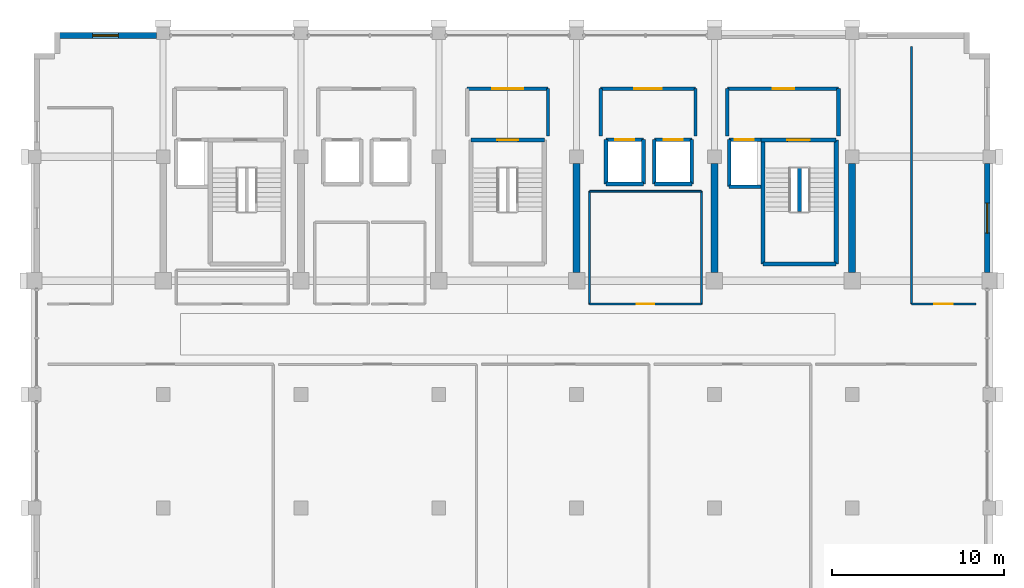
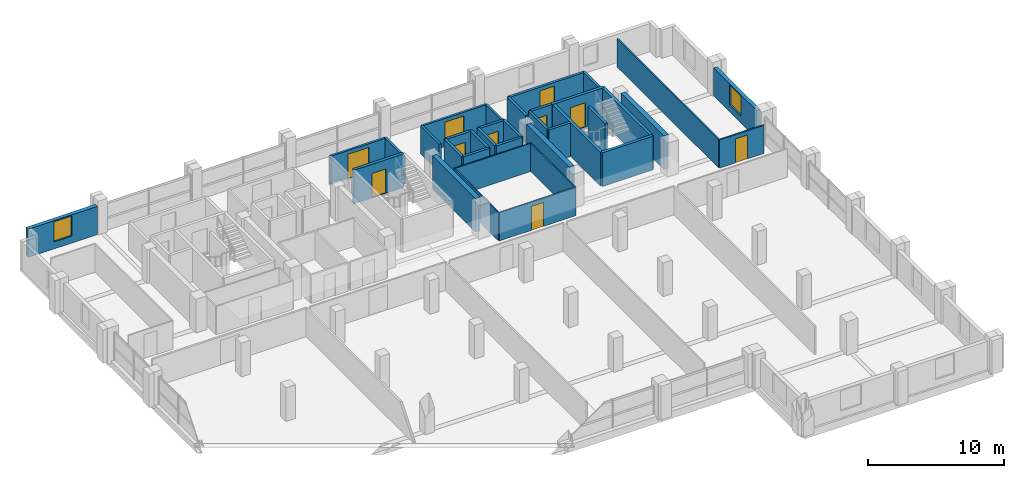
# One storey, part 21 of 23: 36 walls, 10 doors, 2 windows, 12 openings.
"""IFC4 building model written with IfcOpenShell, lengths in metres."""

from ifc_helpers import new_model, si_unit, direction, frame, frame_2d, origin, place, context, subcontext, project, spatial, rectangle, extrude, material, layer, layer_set, type_object, element, fill, save


model = new_model("IFC4")

# Units and contexts
model_context = context("Model", 3, precision=1e-05, world=origin(), true_north=direction((0.0, 1.0)))
body_context = subcontext(model_context, "Body", "Model", "MODEL_VIEW")
ifc_project = project(units=[si_unit("LENGTHUNIT", "METRE"), si_unit("AREAUNIT", "SQUARE_METRE"), si_unit("VOLUMEUNIT", "CUBIC_METRE"), si_unit("PLANEANGLEUNIT", "RADIAN"), si_unit("MASSUNIT", "GRAM", prefix="KILO")], contexts=[model_context])

# Site, building, storey
site_placement = place(None, origin())
site = spatial("IfcSite", under=ifc_project, at=site_placement, CompositionType="ELEMENT")
building_placement = place(site_placement, origin())
building = spatial("IfcBuilding", under=site, at=building_placement, Name="Akrevak Sports Hall", CompositionType="ELEMENT")
storey_placement = place(building_placement, frame((0.0, 0.0, 47.050048828125)))
storey = spatial("IfcBuildingStorey", under=building, at=storey_placement, Name="L11", CompositionType="ELEMENT", Elevation=47.050048828125)

# Wall, opening, window
ifc_material_1 = material(Name="Limestone Ashlar", Category="stone")
ifc_layer_1 = layer(ifc_material_1, 0.070068359375, Name="Limestone Ashlar")
ifc_material_2 = material(Name="Mineral Wool Thermal Insulation", Category="insulation")
ifc_layer_2 = layer(ifc_material_2, 0.090087890625, Name="Mineral Wool Thermal Insulation")
ifc_material_3 = material(Name="Concrete C40/50", Category="concrete")
ifc_layer_3 = layer(ifc_material_3, 0.159912109375, Name="Concrete C40/50")
ifc_layer_set_1 = layer_set([ifc_layer_1, ifc_layer_2, ifc_layer_3], Name="Limestone Ashlar / Mineral Wool Thermal Insulation / Concrete C40/50")
wall_type_1 = type_object("IfcWallType", Name="ARC-WL-EXT-320", PredefinedType="SOLIDWALL", material=ifc_layer_set_1)
wall_1_placement = place(storey_placement, frame((107.840087890625, 55.675048828125, 0.0), z_axis=(0.0, 0.0, 1.0), x_axis=(0.0, 1.0, 0.0)))
wall_1 = element("IfcWall", 1, at=wall_1_placement, inside=storey, type_object=wall_type_1, Name="Tower Stone Facade Wall L11-E15", PredefinedType="SOLIDWALL", context=body_context, shape_type="SweptSolid", body=[
    extrude(rectangle(XDim=6.324951171875, YDim=0.320068359375, at=frame_2d((3.16259765625, 0.0))), origin(), (0.0, 0.0, 1.0), 2.530029296875),
])
opening_1_placement = place(wall_1_placement, frame((2.28759765625, 0.0, 0.6201171875)))
opening_1 = element("IfcOpeningElement", 2, at=opening_1_placement, cuts=wall_1, Name="Opening WN-56", PredefinedType="OPENING", context=body_context, shape_type="SweptSolid", body=[
    extrude(rectangle(XDim=1.75, YDim=1.81005859375, at=frame_2d((0.875, 0.905029296875))), frame((0.0, 0.171875, 0.0), z_axis=(0.0, -1.0, 0.0), x_axis=(1.0, 0.0, 0.0)), (0.0, 0.0, 1.0), 0.343994140625),
])
ifc_material_4 = material(Name="Thermally Broken Bronze Frame & Double Low-E Glass", Category="glass")
window_type_1 = type_object("IfcWindowType", Name="ARC-WIN-SZ-1750x1810", PartitioningType="SINGLE_PANEL", PredefinedType="WINDOW", material=ifc_material_4)
window_1_placement = place(opening_1_placement, origin())
window_1 = element("IfcWindow", 3, at=window_1_placement, inside=storey, type_object=window_type_1, Name="Tower Window L11-E15", OverallHeight=1.81005859375, OverallWidth=1.75, PartitioningType="SINGLE_PANEL", PredefinedType="WINDOW", context=body_context, shape_type="SweptSolid", body=[
    extrude(rectangle(XDim=1.75, YDim=1.81005859375, at=frame_2d((0.875, 0.905029296875))), frame((0.0, 0.030029296875, 0.0), z_axis=(0.0, -1.0, 0.0), x_axis=(1.0, 0.0, 0.0)), (0.0, 0.0, 1.0), 0.06005859375),
])
fill(opening_1, window_1)

wall_2_placement = place(storey_placement, frame((59.60009765625, 69.43994140625, 0.0), z_axis=(0.0, 0.0, 1.0), x_axis=(-1.0, 0.0, 0.0)))
wall_2 = element("IfcWall", 4, at=wall_2_placement, inside=storey, type_object=wall_type_1, Name="Tower Stone Facade Wall L11-N25", PredefinedType="SOLIDWALL", context=body_context, shape_type="SweptSolid", body=[
    extrude(rectangle(XDim=5.900146484375, YDim=0.320068359375, at=frame_2d((2.9501953125, 0.0))), origin(), (0.0, 0.0, 1.0), 2.530029296875),
])
opening_2_placement = place(wall_2_placement, frame((2.199951171875, 0.0, 0.6201171875)))
opening_2 = element("IfcOpeningElement", 5, at=opening_2_placement, cuts=wall_2, Name="Opening WN-48", PredefinedType="OPENING", context=body_context, shape_type="SweptSolid", body=[
    extrude(rectangle(XDim=1.5, YDim=1.81005859375, at=frame_2d((0.75, 0.905029296875))), frame((0.0, 0.171875, 0.0), z_axis=(0.0, -1.0, 0.0), x_axis=(1.0, 0.0, 0.0)), (0.0, 0.0, 1.0), 0.343994140625),
])
window_type_2 = type_object("IfcWindowType", Name="ARC-WIN-SZ-1500x1810", PartitioningType="SINGLE_PANEL", PredefinedType="WINDOW", material=ifc_material_4)
window_2_placement = place(opening_2_placement, origin())
window_2 = element("IfcWindow", 6, at=window_2_placement, inside=storey, type_object=window_type_2, Name="Tower Window L11-N25", OverallHeight=1.81005859375, OverallWidth=1.5, PartitioningType="SINGLE_PANEL", PredefinedType="WINDOW", context=body_context, shape_type="SweptSolid", body=[
    extrude(rectangle(XDim=1.5, YDim=1.81005859375, at=frame_2d((0.75, 0.905029296875))), frame((0.0, 0.030029296875, 0.0), z_axis=(0.0, -1.0, 0.0), x_axis=(1.0, 0.0, 0.0)), (0.0, 0.0, 1.0), 0.06005859375),
])
fill(opening_2, window_2)

# Wall, opening, door
ifc_material_5 = material(Name="Sanitary Cubicle Partition", Category="gypsum")
ifc_layer_4 = layer(ifc_material_5, 0.10009765625, Name="Sanitary Cubicle Partition")
ifc_layer_set_2 = layer_set([ifc_layer_4], Name="Sanitary Cubicle Partition")
wall_type_2 = type_object("IfcWallType", Name="ARC-WL-PRT-100", PredefinedType="PARTITIONING", material=ifc_layer_set_2)
wall_3_placement = place(storey_placement, frame((84.75, 53.85009765625, 0.0), z_axis=(0.0, 0.0, 1.0), x_axis=(1.0, 0.0, 0.0)))
wall_3 = element("IfcWall", 7, at=wall_3_placement, inside=storey, type_object=wall_type_2, Name="Interior Partition Sports Officiating Office L11-C1 (S)", PredefinedType="PARTITIONING", context=body_context, shape_type="SweptSolid", body=[
    extrude(rectangle(XDim=6.5, YDim=0.10009765625, at=frame_2d((3.25, 0.0))), origin(), (0.0, 0.0, 1.0), 2.530029296875),
])
opening_3_placement = place(wall_3_placement, frame((2.75, 0.0, 0.0)))
opening_3 = element("IfcOpeningElement", 8, at=opening_3_placement, cuts=wall_3, Name="Opening ID-06", PredefinedType="OPENING", context=body_context, shape_type="SweptSolid", body=[
    extrude(rectangle(XDim=1.0, YDim=2.14990234375, at=frame_2d((0.5, 1.074951171875))), frame((0.0, 0.06201171875, 0.0), z_axis=(0.0, -1.0, 0.0), x_axis=(1.0, 0.0, 0.0)), (0.0, 0.0, 1.0), 0.1240234375),
])
ifc_material_6 = material(Name="Hardwood Oak Acoustic Leaf", Category="wood")
door_type_1 = type_object("IfcDoorType", Name="ARC-DR-OFF-100x215", OperationType="NOTDEFINED", PredefinedType="DOOR", material=ifc_material_6)
door_1_placement = place(opening_3_placement, origin())
door_1 = element("IfcDoor", 9, at=door_1_placement, inside=storey, type_object=door_type_1, Name="Door to Sports Officiating Office L11-C1", OperationType="SINGLE_SWING_LEFT", OverallHeight=2.14990234375, OverallWidth=1.0, PredefinedType="DOOR", context=body_context, shape_type="SweptSolid", body=[
    extrude(rectangle(XDim=1.0, YDim=2.14990234375, at=frame_2d((0.5, 1.074951171875))), frame((0.0, 0.02490234375, 0.0), z_axis=(0.0, -1.0, 0.0), x_axis=(1.0, 0.0, 0.0)), (0.0, 0.0, 1.0), 0.050048828125),
])
fill(opening_3, door_1)

# Walls
wall_4_placement = place(storey_placement, frame((84.75, 60.39990234375, 0.0), z_axis=(0.0, 0.0, 1.0), x_axis=(1.0, 0.0, 0.0)))
element("IfcWall", 10, at=wall_4_placement, inside=storey, type_object=wall_type_2, Name="Interior Partition Sports Officiating Office L11-C1 (N)", PredefinedType="PARTITIONING", context=body_context, shape_type="SweptSolid", body=[
    extrude(rectangle(XDim=6.5, YDim=0.10009765625, at=frame_2d((3.25, 0.0))), origin(), (0.0, 0.0, 1.0), 2.530029296875),
])
for number, where, z_axis, x_axis, name in (
    (11, (84.75, 53.85009765625, 0.0), (0.0, 0.0, 1.0), (0.0, 1.0, 0.0), "Interior Partition Sports Officiating Office L11-C1 (W)"),
    (12, (91.25, 53.85009765625, 0.0), (0.0, 0.0, 1.0), (0.0, 1.0, 0.0), "Interior Partition Sports Officiating Office L11-C1 (E)"),
):
    element("IfcWall", number, at=place(storey_placement, frame(where, z_axis=z_axis, x_axis=x_axis)), inside=storey, type_object=wall_type_2, Name=name, PredefinedType="PARTITIONING", context=body_context, shape_type="SweptSolid", body=[
        extrude(rectangle(XDim=6.5498046875, YDim=0.10009765625, at=frame_2d((3.27490234375, 0.0))), origin(), (0.0, 0.0, 1.0), 2.530029296875),
    ])

# Wall, opening, door
ifc_material_7 = material(Name="Standard Metal Stud Partition", Category="gypsum")
ifc_layer_5 = layer(ifc_material_7, 0.1201171875, Name="Standard Metal Stud Partition")
ifc_layer_set_3 = layer_set([ifc_layer_5], Name="Standard Metal Stud Partition")
wall_type_3 = type_object("IfcWallType", Name="ARC-WL-PRT-120", PredefinedType="PARTITIONING", material=ifc_layer_set_3)
wall_5_placement = place(storey_placement, frame((103.449951171875, 53.85009765625, 0.0), z_axis=(0.0, 0.0, 1.0), x_axis=(1.0, 0.0, 0.0)))
wall_5 = element("IfcWall", 13, at=wall_5_placement, inside=storey, type_object=wall_type_3, Name="Interior Partition Federation Research Office L11-E1 (S)", PredefinedType="PARTITIONING", context=body_context, shape_type="SweptSolid", body=[
    extrude(rectangle(XDim=3.75, YDim=0.1201171875, at=frame_2d((1.875, 0.0))), origin(), (0.0, 0.0, 1.0), 2.530029296875),
])
opening_4_placement = place(wall_5_placement, frame((1.324951171875, 0.0, 0.0)))
opening_4 = element("IfcOpeningElement", 14, at=opening_4_placement, cuts=wall_5, Name="Opening ID-05", PredefinedType="OPENING", context=body_context, shape_type="SweptSolid", body=[
    extrude(rectangle(XDim=1.050048828125, YDim=2.14990234375, at=frame_2d((0.52490234375, 1.074951171875))), frame((0.0, 0.072021484375, 0.0), z_axis=(0.0, -1.0, 0.0), x_axis=(1.0, 0.0, 0.0)), (0.0, 0.0, 1.0), 0.14404296875),
])
door_type_2 = type_object("IfcDoorType", Name="ARC-DR-OFF-105x215", OperationType="NOTDEFINED", PredefinedType="DOOR", material=ifc_material_6)
door_2_placement = place(opening_4_placement, frame((1.050048828125, 0.0, 0.0), z_axis=(0.0, 0.0, 1.0), x_axis=(-1.0, 0.0, 0.0)))
door_2 = element("IfcDoor", 15, at=door_2_placement, inside=storey, type_object=door_type_2, Name="Door to Federation Research Office L11-E1", OperationType="SINGLE_SWING_RIGHT", OverallHeight=2.14990234375, OverallWidth=1.050048828125, PredefinedType="DOOR", context=body_context, shape_type="SweptSolid", body=[
    extrude(rectangle(XDim=1.050048828125, YDim=2.14990234375, at=frame_2d((0.52490234375, 1.074951171875))), frame((0.0, 0.02490234375, 0.0), z_axis=(0.0, -1.0, 0.0), x_axis=(1.0, 0.0, 0.0)), (0.0, 0.0, 1.0), 0.050048828125),
])
fill(opening_4, door_2)

# Wall
wall_6_placement = place(storey_placement, frame((103.449951171875, 53.85009765625, 0.0), z_axis=(0.0, 0.0, 1.0), x_axis=(0.0, 1.0, 0.0)))
element("IfcWall", 16, at=wall_6_placement, inside=storey, type_object=wall_type_3, Name="Interior Partition Federation Research Office L11-E1 (W)", PredefinedType="PARTITIONING", context=body_context, shape_type="SweptSolid", body=[
    extrude(rectangle(XDim=14.949951171875, YDim=0.1201171875, at=frame_2d((7.47509765625, 0.0))), origin(), (0.0, 0.0, 1.0), 2.530029296875),
])

# Wall, opening, door
ifc_material_8 = material(Name="Autoclaved Aerated Masonry Block", Category="masonry")
ifc_layer_6 = layer(ifc_material_8, 0.179931640625, Name="Autoclaved Aerated Masonry Block")
ifc_layer_set_4 = layer_set([ifc_layer_6], Name="Autoclaved Aerated Masonry Block")
wall_type_4 = type_object("IfcWallType", Name="ARC-WL-PRT-180", PredefinedType="PARTITIONING", material=ifc_layer_set_4)
wall_7_placement = place(storey_placement, frame((85.39990234375, 66.35009765625, 0.0), z_axis=(0.0, 0.0, 1.0), x_axis=(1.0, 0.0, 0.0)))
wall_7 = element("IfcWall", 17, at=wall_7_placement, inside=storey, type_object=wall_type_4, Name="Interior Partition East Passenger Lift Lobby L11 (N)", PredefinedType="PARTITIONING", context=body_context, shape_type="SweptSolid", body=[
    extrude(rectangle(XDim=5.5, YDim=0.179931640625, at=frame_2d((2.75, 0.0))), origin(), (0.0, 0.0, 1.0), 2.530029296875),
])
opening_5_placement = place(wall_7_placement, frame((1.949951171875, 0.0, 0.0)))
opening_5 = element("IfcOpeningElement", 18, at=opening_5_placement, cuts=wall_7, Name="Opening ID-03", PredefinedType="OPENING", context=body_context, shape_type="SweptSolid", body=[
    extrude(rectangle(XDim=1.60009765625, YDim=2.199951171875, at=frame_2d((0.800048828125, 1.10009765625))), frame((0.0, 0.10205078125, 0.0), z_axis=(0.0, -1.0, 0.0), x_axis=(1.0, 0.0, 0.0)), (0.0, 0.0, 1.0), 0.203857421875),
])
ifc_material_9 = material(Name="Hardwood Oak & Safety Glass", Category="wood")
door_type_3 = type_object("IfcDoorType", Name="ARC-DR-HALL-160x220", OperationType="DOUBLE_DOOR_SINGLE_SWING", PredefinedType="DOOR", material=ifc_material_9)
door_3_placement = place(opening_5_placement, origin())
door_3 = element("IfcDoor", 19, at=door_3_placement, inside=storey, type_object=door_type_3, Name="Door to East Passenger Lift Lobby L11", OperationType="DOUBLE_DOOR_SINGLE_SWING", OverallHeight=2.199951171875, OverallWidth=1.60009765625, PredefinedType="DOOR", context=body_context, shape_type="SweptSolid", body=[
    extrude(rectangle(XDim=1.60009765625, YDim=2.199951171875, at=frame_2d((0.800048828125, 1.10009765625))), frame((0.0, 0.02490234375, 0.0), z_axis=(0.0, -1.0, 0.0), x_axis=(1.0, 0.0, 0.0)), (0.0, 0.0, 1.0), 0.050048828125),
])
fill(opening_5, door_3)

# Walls
for number, where, z_axis, x_axis, name in (
    (20, (85.39990234375, 63.60009765625, 0.0), (0.0, 0.0, 1.0), (0.0, 1.0, 0.0), "Interior Partition East Passenger Lift Lobby L11 (W)"),
    (21, (90.89990234375, 63.60009765625, 0.0), (0.0, 0.0, 1.0), (0.0, 1.0, 0.0), "Interior Partition East Passenger Lift Lobby L11 (E)"),
):
    element("IfcWall", number, at=place(storey_placement, frame(where, z_axis=z_axis, x_axis=x_axis)), inside=storey, type_object=wall_type_4, Name=name, PredefinedType="PARTITIONING", context=body_context, shape_type="SweptSolid", body=[
        extrude(rectangle(XDim=2.75, YDim=0.179931640625, at=frame_2d((1.375, 0.0))), origin(), (0.0, 0.0, 1.0), 2.530029296875),
    ])

# Wall, opening, door
wall_8_placement = place(storey_placement, frame((77.64990234375, 66.35009765625, 0.0), z_axis=(0.0, 0.0, 1.0), x_axis=(1.0, 0.0, 0.0)))
wall_8 = element("IfcWall", 22, at=wall_8_placement, inside=storey, type_object=wall_type_4, Name="Interior Partition Central Stair ST3 Vestibule L11 (N)", PredefinedType="PARTITIONING", context=body_context, shape_type="SweptSolid", body=[
    extrude(rectangle(XDim=4.7001953125, YDim=0.179931640625, at=frame_2d((2.35009765625, 0.0))), origin(), (0.0, 0.0, 1.0), 2.530029296875),
])
opening_6_placement = place(wall_8_placement, frame((1.449951171875, 0.0, 0.0)))
opening_6 = element("IfcOpeningElement", 23, at=opening_6_placement, cuts=wall_8, Name="Opening FD-02", PredefinedType="OPENING", context=body_context, shape_type="SweptSolid", body=[
    extrude(rectangle(XDim=1.800048828125, YDim=2.199951171875, at=frame_2d((0.89990234375, 1.10009765625))), frame((0.0, 0.10205078125, 0.0), z_axis=(0.0, -1.0, 0.0), x_axis=(1.0, 0.0, 0.0)), (0.0, 0.0, 1.0), 0.203857421875),
])
ifc_material_10 = material(Name="Fire-Rated Galvanized Door Steel", Category="steel")
door_type_4 = type_object("IfcDoorType", Name="ARC-DR-FIRE-180x220", OperationType="DOUBLE_DOOR_SINGLE_SWING", PredefinedType="DOOR", material=ifc_material_10)
door_4_placement = place(opening_6_placement, frame((1.800048828125, 0.0, 0.0), z_axis=(0.0, 0.0, 1.0), x_axis=(-1.0, 0.0, 0.0)))
door_4 = element("IfcDoor", 24, at=door_4_placement, inside=storey, type_object=door_type_4, Name="Door to Central Stair ST3 Vestibule L11", OperationType="DOUBLE_DOOR_SINGLE_SWING", OverallHeight=2.199951171875, OverallWidth=1.800048828125, PredefinedType="DOOR", context=body_context, shape_type="SweptSolid", body=[
    extrude(rectangle(XDim=1.800048828125, YDim=2.199951171875, at=frame_2d((0.89990234375, 1.10009765625))), frame((0.0, 0.02490234375, 0.0), z_axis=(0.0, -1.0, 0.0), x_axis=(1.0, 0.0, 0.0)), (0.0, 0.0, 1.0), 0.050048828125),
])
fill(opening_6, door_4)

# Walls
wall_9_placement = place(storey_placement, frame((82.35009765625, 63.60009765625, 0.0), z_axis=(0.0, 0.0, 1.0), x_axis=(0.0, 1.0, 0.0)))
element("IfcWall", 25, at=wall_9_placement, inside=storey, type_object=wall_type_4, Name="Interior Partition Central Stair ST3 Vestibule L11 (E)", PredefinedType="PARTITIONING", context=body_context, shape_type="SweptSolid", body=[
    extrude(rectangle(XDim=2.75, YDim=0.179931640625, at=frame_2d((1.375, 0.0))), origin(), (0.0, 0.0, 1.0), 2.530029296875),
])
ifc_layer_7 = layer(ifc_material_3, 0.219970703125, Name="Concrete C40/50")
ifc_layer_set_5 = layer_set([ifc_layer_7], Name="Concrete C40/50")
wall_type_5 = type_object("IfcWallType", Name="ARC-WL-PRT-220", PredefinedType="PARTITIONING", material=ifc_layer_set_5)
wall_10_placement = place(storey_placement, frame((96.949951171875, 59.215087890625, 0.0), z_axis=(0.0, 0.0, 1.0), x_axis=(0.0, 1.0, 0.0)))
element("IfcWall", 26, at=wall_10_placement, inside=storey, type_object=wall_type_5, Name="Stair ST2 Central Spine Wall (L11)", PredefinedType="PARTITIONING", context=body_context, shape_type="SweptSolid", body=[
    extrude(rectangle(XDim=2.52001953125, YDim=0.219970703125, at=frame_2d((1.260009765625, 0.0))), origin(), (0.0, 0.0, 1.0), 3.02001953125),
])

# Wall, opening, door
wall_11_placement = place(storey_placement, frame((92.75, 66.35009765625, 0.0), z_axis=(0.0, 0.0, 1.0), x_axis=(1.0, 0.0, 0.0)))
wall_11 = element("IfcWall", 27, at=wall_11_placement, inside=storey, type_object=wall_type_5, Name="Interior Partition Firefighting Lobby East L11 (N)", PredefinedType="PARTITIONING", context=body_context, shape_type="SweptSolid", body=[
    extrude(rectangle(XDim=6.449951171875, YDim=0.219970703125, at=frame_2d((3.22509765625, 0.0))), origin(), (0.0, 0.0, 1.0), 2.530029296875),
])
opening_7_placement = place(wall_11_placement, frame((2.625, 0.0, 0.0)))
opening_7 = element("IfcOpeningElement", 28, at=opening_7_placement, cuts=wall_11, Name="Opening FD-01", PredefinedType="OPENING", context=body_context, shape_type="SweptSolid", body=[
    extrude(rectangle(XDim=1.25, YDim=2.199951171875, at=frame_2d((0.625, 1.10009765625))), frame((0.0, 0.1220703125, 0.0), z_axis=(0.0, -1.0, 0.0), x_axis=(1.0, 0.0, 0.0)), (0.0, 0.0, 1.0), 0.243896484375),
])
door_type_5 = type_object("IfcDoorType", Name="ARC-DR-FFL-125x220", OperationType="NOTDEFINED", PredefinedType="DOOR", material=ifc_material_10)
door_5_placement = place(opening_7_placement, frame((1.25, 0.0, 0.0), z_axis=(0.0, 0.0, 1.0), x_axis=(-1.0, 0.0, 0.0)))
door_5 = element("IfcDoor", 29, at=door_5_placement, inside=storey, type_object=door_type_5, Name="Door to Firefighting Lobby East L11", OperationType="SINGLE_SWING_LEFT", OverallHeight=2.199951171875, OverallWidth=1.25, PredefinedType="DOOR", context=body_context, shape_type="SweptSolid", body=[
    extrude(rectangle(XDim=1.25, YDim=2.199951171875, at=frame_2d((0.625, 1.10009765625))), frame((0.0, 0.02490234375, 0.0), z_axis=(0.0, -1.0, 0.0), x_axis=(1.0, 0.0, 0.0)), (0.0, 0.0, 1.0), 0.050048828125),
])
fill(opening_7, door_5)

# Walls
for number, where, z_axis, x_axis, name in (
    (30, (92.75, 63.60009765625, 0.0), (0.0, 0.0, 1.0), (0.0, 1.0, 0.0), "Interior Partition Firefighting Lobby East L11 (W)"),
    (31, (99.199951171875, 63.60009765625, 0.0), (0.0, 0.0, 1.0), (0.0, 1.0, 0.0), "Interior Partition Firefighting Lobby East L11 (E)"),
):
    element("IfcWall", number, at=place(storey_placement, frame(where, z_axis=z_axis, x_axis=x_axis)), inside=storey, type_object=wall_type_5, Name=name, PredefinedType="PARTITIONING", context=body_context, shape_type="SweptSolid", body=[
        extrude(rectangle(XDim=2.75, YDim=0.219970703125, at=frame_2d((1.375, 0.0))), origin(), (0.0, 0.0, 1.0), 2.530029296875),
    ])
ifc_material_11 = material(Name="Concrete C50/60", Category="concrete")
ifc_layer_8 = layer(ifc_material_11, 0.219970703125, Name="Concrete C50/60")
ifc_layer_set_6 = layer_set([ifc_layer_8], Name="Concrete C50/60")
wall_type_6 = type_object("IfcWallType", Name="ARC-WL-SHAFT-220", PredefinedType="SHEAR", material=ifc_layer_set_6)
wall_12_placement = place(storey_placement, frame((92.860107421875, 60.659912109375, 0.0), z_axis=(0.0, 0.0, 1.0), x_axis=(1.0, 0.0, 0.0)))
element("IfcWall", 32, at=wall_12_placement, inside=storey, type_object=wall_type_6, Name="Lift Shaft LF-FF2 Wall S (L11)", PredefinedType="SHEAR", context=body_context, shape_type="SweptSolid", body=[
    extrude(rectangle(XDim=1.83984375, YDim=0.219970703125, at=frame_2d((0.919921875, 0.0))), origin(), (0.0, 0.0, 1.0), 3.02001953125),
])

# Wall, opening, door
wall_13_placement = place(storey_placement, frame((94.699951171875, 63.389892578125, 0.0), z_axis=(0.0, 0.0, 1.0), x_axis=(-1.0, 0.0, 0.0)))
wall_13 = element("IfcWall", 33, at=wall_13_placement, inside=storey, type_object=wall_type_6, Name="Lift Shaft LF-FF2 Wall N (L11)", PredefinedType="SHEAR", context=body_context, shape_type="SweptSolid", body=[
    extrude(rectangle(XDim=1.83984375, YDim=0.219970703125, at=frame_2d((0.919921875, 0.0))), origin(), (0.0, 0.0, 1.0), 3.02001953125),
])
opening_8_placement = place(wall_13_placement, frame((0.425048828125, 0.0, 0.0)))
opening_8 = element("IfcOpeningElement", 34, at=opening_8_placement, cuts=wall_13, Name="Opening LD-01", PredefinedType="OPENING", context=body_context, shape_type="SweptSolid", body=[
    extrude(rectangle(XDim=1.10009765625, YDim=2.199951171875, at=frame_2d((0.550048828125, 1.10009765625))), frame((0.0, 0.1220703125, 0.0), z_axis=(0.0, -1.0, 0.0), x_axis=(1.0, 0.0, 0.0)), (0.0, 0.0, 1.0), 0.243896484375),
])
ifc_material_12 = material(Name="Brushed Stainless Steel 304", Category="steel")
door_type_6 = type_object("IfcDoorType", Name="ARC-DR-LD-110x220", OperationType="SLIDING_TO_LEFT", PredefinedType="DOOR", material=ifc_material_12)
door_6_placement = place(opening_8_placement, origin())
door_6 = element("IfcDoor", 35, at=door_6_placement, inside=storey, type_object=door_type_6, Name="Lift LF-FF2 Sliding Landing Door (L11)", OperationType="SLIDING_TO_RIGHT", OverallHeight=2.199951171875, OverallWidth=1.10009765625, PredefinedType="DOOR", context=body_context, shape_type="SweptSolid", body=[
    extrude(rectangle(XDim=1.10009765625, YDim=2.199951171875, at=frame_2d((0.550048828125, 1.10009765625))), frame((0.0, 0.02490234375, 0.0), z_axis=(0.0, -1.0, 0.0), x_axis=(1.0, 0.0, 0.0)), (0.0, 0.0, 1.0), 0.050048828125),
])
fill(opening_8, door_6)

# Walls
wall_14_placement = place(storey_placement, frame((92.860107421875, 63.389892578125, 0.0), z_axis=(0.0, 0.0, 1.0), x_axis=(0.0, -1.0, 0.0)))
element("IfcWall", 36, at=wall_14_placement, inside=storey, type_object=wall_type_6, Name="Lift Shaft LF-FF2 Wall W (L11)", PredefinedType="SHEAR", context=body_context, shape_type="SweptSolid", body=[
    extrude(rectangle(XDim=2.72998046875, YDim=0.219970703125, at=frame_2d((1.364990234375, 0.0))), origin(), (0.0, 0.0, 1.0), 3.02001953125),
])
wall_15_placement = place(storey_placement, frame((85.7099609375, 60.81005859375, 0.0), z_axis=(0.0, 0.0, 1.0), x_axis=(1.0, 0.0, 0.0)))
element("IfcWall", 37, at=wall_15_placement, inside=storey, type_object=wall_type_6, Name="Lift Shaft LF-P3 Wall S (L11)", PredefinedType="SHEAR", context=body_context, shape_type="SweptSolid", body=[
    extrude(rectangle(XDim=2.179931640625, YDim=0.219970703125, at=frame_2d((1.08984375, 0.0))), origin(), (0.0, 0.0, 1.0), 3.02001953125),
])

# Wall, opening, door
wall_16_placement = place(storey_placement, frame((87.889892578125, 63.389892578125, 0.0), z_axis=(0.0, 0.0, 1.0), x_axis=(-1.0, 0.0, 0.0)))
wall_16 = element("IfcWall", 38, at=wall_16_placement, inside=storey, type_object=wall_type_6, Name="Lift Shaft LF-P3 Wall N (L11)", PredefinedType="SHEAR", context=body_context, shape_type="SweptSolid", body=[
    extrude(rectangle(XDim=2.179931640625, YDim=0.219970703125, at=frame_2d((1.08984375, 0.0))), origin(), (0.0, 0.0, 1.0), 3.02001953125),
])
opening_9_placement = place(wall_16_placement, frame((0.5400390625, 0.0, 0.0)))
opening_9 = element("IfcOpeningElement", 39, at=opening_9_placement, cuts=wall_16, Name="Opening LD-01", PredefinedType="OPENING", context=body_context, shape_type="SweptSolid", body=[
    extrude(rectangle(XDim=1.10009765625, YDim=2.199951171875, at=frame_2d((0.550048828125, 1.10009765625))), frame((0.0, 0.1220703125, 0.0), z_axis=(0.0, -1.0, 0.0), x_axis=(1.0, 0.0, 0.0)), (0.0, 0.0, 1.0), 0.243896484375),
])
door_7_placement = place(opening_9_placement, origin())
door_7 = element("IfcDoor", 40, at=door_7_placement, inside=storey, type_object=door_type_6, Name="Lift LF-P3 Sliding Landing Door (L11)", OperationType="SLIDING_TO_RIGHT", OverallHeight=2.199951171875, OverallWidth=1.10009765625, PredefinedType="DOOR", context=body_context, shape_type="SweptSolid", body=[
    extrude(rectangle(XDim=1.10009765625, YDim=2.199951171875, at=frame_2d((0.550048828125, 1.10009765625))), frame((0.0, 0.02490234375, 0.0), z_axis=(0.0, -1.0, 0.0), x_axis=(1.0, 0.0, 0.0)), (0.0, 0.0, 1.0), 0.050048828125),
])
fill(opening_9, door_7)

# Walls
for number, where, z_axis, x_axis, name in (
    (41, (85.7099609375, 63.389892578125, 0.0), (0.0, 0.0, 1.0), (0.0, -1.0, 0.0), "Lift Shaft LF-P3 Wall W (L11)"),
    (42, (87.889892578125, 60.81005859375, 0.0), (0.0, 0.0, 1.0), (0.0, 1.0, 0.0), "Lift Shaft LF-P3 Wall E (L11)"),
):
    element("IfcWall", number, at=place(storey_placement, frame(where, z_axis=z_axis, x_axis=x_axis)), inside=storey, type_object=wall_type_6, Name=name, PredefinedType="SHEAR", context=body_context, shape_type="SweptSolid", body=[
        extrude(rectangle(XDim=2.579833984375, YDim=0.219970703125, at=frame_2d((1.2900390625, 0.0))), origin(), (0.0, 0.0, 1.0), 3.02001953125),
    ])
wall_17_placement = place(storey_placement, frame((88.510009765625, 60.81005859375, 0.0), z_axis=(0.0, 0.0, 1.0), x_axis=(1.0, 0.0, 0.0)))
element("IfcWall", 43, at=wall_17_placement, inside=storey, type_object=wall_type_6, Name="Lift Shaft LF-P4 Wall S (L11)", PredefinedType="SHEAR", context=body_context, shape_type="SweptSolid", body=[
    extrude(rectangle(XDim=2.179931640625, YDim=0.219970703125, at=frame_2d((1.08984375, 0.0))), origin(), (0.0, 0.0, 1.0), 3.02001953125),
])

# Wall, opening, door
wall_18_placement = place(storey_placement, frame((90.68994140625, 63.389892578125, 0.0), z_axis=(0.0, 0.0, 1.0), x_axis=(-1.0, 0.0, 0.0)))
wall_18 = element("IfcWall", 44, at=wall_18_placement, inside=storey, type_object=wall_type_6, Name="Lift Shaft LF-P4 Wall N (L11)", PredefinedType="SHEAR", context=body_context, shape_type="SweptSolid", body=[
    extrude(rectangle(XDim=2.179931640625, YDim=0.219970703125, at=frame_2d((1.08984375, 0.0))), origin(), (0.0, 0.0, 1.0), 3.02001953125),
])
opening_10_placement = place(wall_18_placement, frame((0.5400390625, 0.0, 0.0)))
opening_10 = element("IfcOpeningElement", 45, at=opening_10_placement, cuts=wall_18, Name="Opening LD-01", PredefinedType="OPENING", context=body_context, shape_type="SweptSolid", body=[
    extrude(rectangle(XDim=1.10009765625, YDim=2.199951171875, at=frame_2d((0.550048828125, 1.10009765625))), frame((0.0, 0.1220703125, 0.0), z_axis=(0.0, -1.0, 0.0), x_axis=(1.0, 0.0, 0.0)), (0.0, 0.0, 1.0), 0.243896484375),
])
door_8_placement = place(opening_10_placement, origin())
door_8 = element("IfcDoor", 46, at=door_8_placement, inside=storey, type_object=door_type_6, Name="Lift LF-P4 Sliding Landing Door (L11)", OperationType="SLIDING_TO_RIGHT", OverallHeight=2.199951171875, OverallWidth=1.10009765625, PredefinedType="DOOR", context=body_context, shape_type="SweptSolid", body=[
    extrude(rectangle(XDim=1.10009765625, YDim=2.199951171875, at=frame_2d((0.550048828125, 1.10009765625))), frame((0.0, 0.02490234375, 0.0), z_axis=(0.0, -1.0, 0.0), x_axis=(1.0, 0.0, 0.0)), (0.0, 0.0, 1.0), 0.050048828125),
])
fill(opening_10, door_8)

# Walls
for number, where, z_axis, x_axis, name in (
    (47, (88.510009765625, 63.389892578125, 0.0), (0.0, 0.0, 1.0), (0.0, -1.0, 0.0), "Lift Shaft LF-P4 Wall W (L11)"),
    (48, (90.68994140625, 60.81005859375, 0.0), (0.0, 0.0, 1.0), (0.0, 1.0, 0.0), "Lift Shaft LF-P4 Wall E (L11)"),
):
    element("IfcWall", number, at=place(storey_placement, frame(where, z_axis=z_axis, x_axis=x_axis)), inside=storey, type_object=wall_type_6, Name=name, PredefinedType="SHEAR", context=body_context, shape_type="SweptSolid", body=[
        extrude(rectangle(XDim=2.579833984375, YDim=0.219970703125, at=frame_2d((1.2900390625, 0.0))), origin(), (0.0, 0.0, 1.0), 3.02001953125),
    ])
ifc_layer_9 = layer(ifc_material_11, 0.39990234375, Name="Concrete C50/60")
ifc_layer_set_7 = layer_set([ifc_layer_9], Name="Concrete C50/60")
wall_type_7 = type_object("IfcWallType", Name="STR-WL-CORE-400", PredefinedType="SHEAR", material=ifc_layer_set_7)
for number, where, z_axis, x_axis, name in (
    (49, (84.0, 55.675048828125, 0.0), (0.0, 0.0, 1.0), (0.0, 1.0, 0.0), "Reinforced Concrete Shear Wall SW-C2 (L11)"),
    (50, (92.0, 55.675048828125, 0.0), (0.0, 0.0, 1.0), (0.0, 1.0, 0.0), "Reinforced Concrete Shear Wall SW-E1 (L11)"),
    (51, (100.0, 55.675048828125, 0.0), (0.0, 0.0, 1.0), (0.0, 1.0, 0.0), "Reinforced Concrete Shear Wall SW-E2 (L11)"),
):
    element("IfcWall", number, at=place(storey_placement, frame(where, z_axis=z_axis, x_axis=x_axis)), inside=storey, type_object=wall_type_7, Name=name, PredefinedType="SHEAR", context=body_context, shape_type="SweptSolid", body=[
        extrude(rectangle(XDim=6.324951171875, YDim=0.39990234375, at=frame_2d((3.16259765625, 0.0))), origin(), (0.0, 0.0, 1.0), 3.02001953125),
    ])
ifc_layer_10 = layer(ifc_material_11, 0.25, Name="Concrete C50/60")
ifc_layer_set_8 = layer_set([ifc_layer_10], Name="Concrete C50/60")
wall_type_8 = type_object("IfcWallType", Name="STR-WL-STAIR-250", PredefinedType="SHEAR", material=ifc_layer_set_8)
wall_19_placement = place(storey_placement, frame((94.824951171875, 56.175048828125, 0.0), z_axis=(0.0, 0.0, 1.0), x_axis=(1.0, 0.0, 0.0)))
element("IfcWall", 52, at=wall_19_placement, inside=storey, type_object=wall_type_8, Name="Stair Core ST2 Shear Wall S (L11)", PredefinedType="SHEAR", context=body_context, shape_type="SweptSolid", body=[
    extrude(rectangle(XDim=4.25, YDim=0.25, at=frame_2d((2.125, 0.0))), origin(), (0.0, 0.0, 1.0), 3.02001953125),
])

# Wall, opening, door
wall_20_placement = place(storey_placement, frame((99.074951171875, 63.375, 0.0), z_axis=(0.0, 0.0, 1.0), x_axis=(-1.0, 0.0, 0.0)))
wall_20 = element("IfcWall", 53, at=wall_20_placement, inside=storey, type_object=wall_type_8, Name="Stair Core ST2 Shear Wall N (L11)", PredefinedType="SHEAR", context=body_context, shape_type="SweptSolid", body=[
    extrude(rectangle(XDim=4.375, YDim=0.25, at=frame_2d((2.1875, 0.0))), origin(), (0.0, 0.0, 1.0), 3.02001953125),
])
opening_11_placement = place(wall_20_placement, frame((1.53759765625, 0.0, 0.0)))
opening_11 = element("IfcOpeningElement", 54, at=opening_11_placement, cuts=wall_20, Name="Opening SD-01", PredefinedType="OPENING", context=body_context, shape_type="SweptSolid", body=[
    extrude(rectangle(XDim=1.300048828125, YDim=2.199951171875, at=frame_2d((0.64990234375, 1.10009765625))), frame((0.0, 0.136962890625, 0.0), z_axis=(0.0, -1.0, 0.0), x_axis=(1.0, 0.0, 0.0)), (0.0, 0.0, 1.0), 0.27392578125),
])
door_type_7 = type_object("IfcDoorType", Name="ARC-DR-STAIR-130x220", OperationType="NOTDEFINED", PredefinedType="DOOR", material=ifc_material_10)
door_9_placement = place(opening_11_placement, origin())
door_9 = element("IfcDoor", 55, at=door_9_placement, inside=storey, type_object=door_type_7, Name="Exit Stair ST2 Door (L11)", OperationType="SINGLE_SWING_RIGHT", OverallHeight=2.199951171875, OverallWidth=1.300048828125, PredefinedType="DOOR", context=body_context, shape_type="SweptSolid", body=[
    extrude(rectangle(XDim=1.300048828125, YDim=2.199951171875, at=frame_2d((0.64990234375, 1.10009765625))), frame((0.0, 0.02490234375, 0.0), z_axis=(0.0, -1.0, 0.0), x_axis=(1.0, 0.0, 0.0)), (0.0, 0.0, 1.0), 0.050048828125),
])
fill(opening_11, door_9)

# Walls
wall_21_placement = place(storey_placement, frame((94.824951171875, 63.25, 0.0), z_axis=(0.0, 0.0, 1.0), x_axis=(0.0, -1.0, 0.0)))
element("IfcWall", 56, at=wall_21_placement, inside=storey, type_object=wall_type_8, Name="Stair Core ST2 Shear Wall W (L11)", PredefinedType="SHEAR", context=body_context, shape_type="SweptSolid", body=[
    extrude(rectangle(XDim=7.074951171875, YDim=0.25, at=frame_2d((3.53759765625, 0.0))), origin(), (0.0, 0.0, 1.0), 3.02001953125),
])
wall_22_placement = place(storey_placement, frame((99.074951171875, 56.175048828125, 0.0), z_axis=(0.0, 0.0, 1.0), x_axis=(0.0, 1.0, 0.0)))
element("IfcWall", 57, at=wall_22_placement, inside=storey, type_object=wall_type_8, Name="Stair Core ST2 Shear Wall E (L11)", PredefinedType="SHEAR", context=body_context, shape_type="SweptSolid", body=[
    extrude(rectangle(XDim=7.199951171875, YDim=0.25, at=frame_2d((3.60009765625, 0.0))), origin(), (0.0, 0.0, 1.0), 3.02001953125),
])

# Wall, opening, door
wall_23_placement = place(storey_placement, frame((82.125, 63.375, 0.0), z_axis=(0.0, 0.0, 1.0), x_axis=(-1.0, 0.0, 0.0)))
wall_23 = element("IfcWall", 58, at=wall_23_placement, inside=storey, type_object=wall_type_8, Name="Stair Core ST3 Shear Wall N (L11)", PredefinedType="SHEAR", context=body_context, shape_type="SweptSolid", body=[
    extrude(rectangle(XDim=4.25, YDim=0.25, at=frame_2d((2.125, 0.0))), origin(), (0.0, 0.0, 1.0), 3.02001953125),
])
opening_12_placement = place(wall_23_placement, frame((1.52490234375, 0.0, 0.0)))
opening_12 = element("IfcOpeningElement", 59, at=opening_12_placement, cuts=wall_23, Name="Opening SD-02", PredefinedType="OPENING", context=body_context, shape_type="SweptSolid", body=[
    extrude(rectangle(XDim=1.199951171875, YDim=2.199951171875, at=frame_2d((0.60009765625, 1.10009765625))), frame((0.0, 0.136962890625, 0.0), z_axis=(0.0, -1.0, 0.0), x_axis=(1.0, 0.0, 0.0)), (0.0, 0.0, 1.0), 0.27392578125),
])
door_type_8 = type_object("IfcDoorType", Name="ARC-DR-STAIR-120x220", OperationType="NOTDEFINED", PredefinedType="DOOR", material=ifc_material_10)
door_10_placement = place(opening_12_placement, origin())
door_10 = element("IfcDoor", 60, at=door_10_placement, inside=storey, type_object=door_type_8, Name="Exit Stair ST3 Door (L11)", OperationType="SINGLE_SWING_LEFT", OverallHeight=2.199951171875, OverallWidth=1.199951171875, PredefinedType="DOOR", context=body_context, shape_type="SweptSolid", body=[
    extrude(rectangle(XDim=1.199951171875, YDim=2.199951171875, at=frame_2d((0.60009765625, 1.10009765625))), frame((0.0, 0.02490234375, 0.0), z_axis=(0.0, -1.0, 0.0), x_axis=(1.0, 0.0, 0.0)), (0.0, 0.0, 1.0), 0.050048828125),
])
fill(opening_12, door_10)

save(model, "model.ifc")
